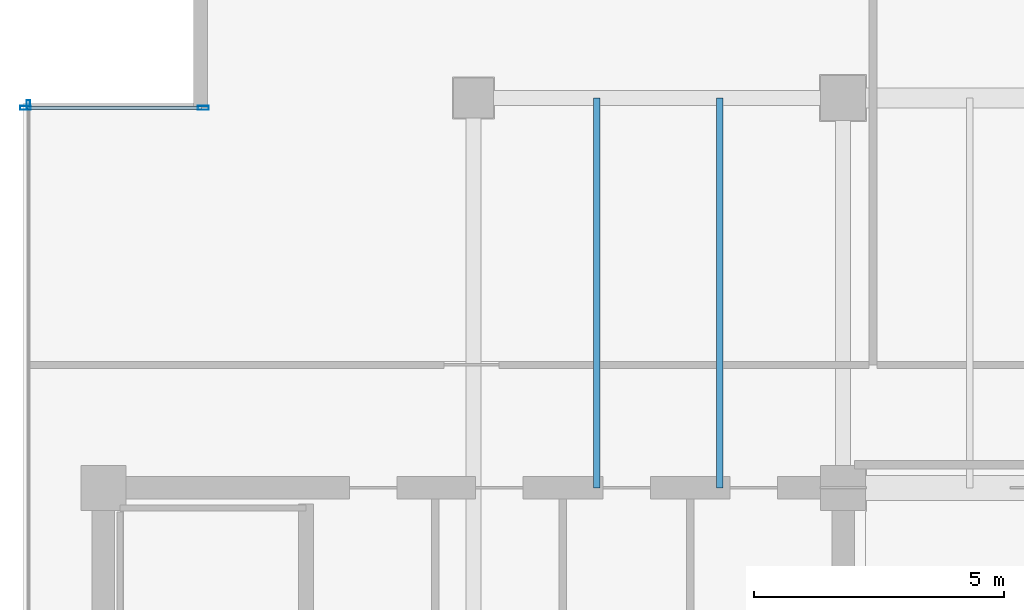
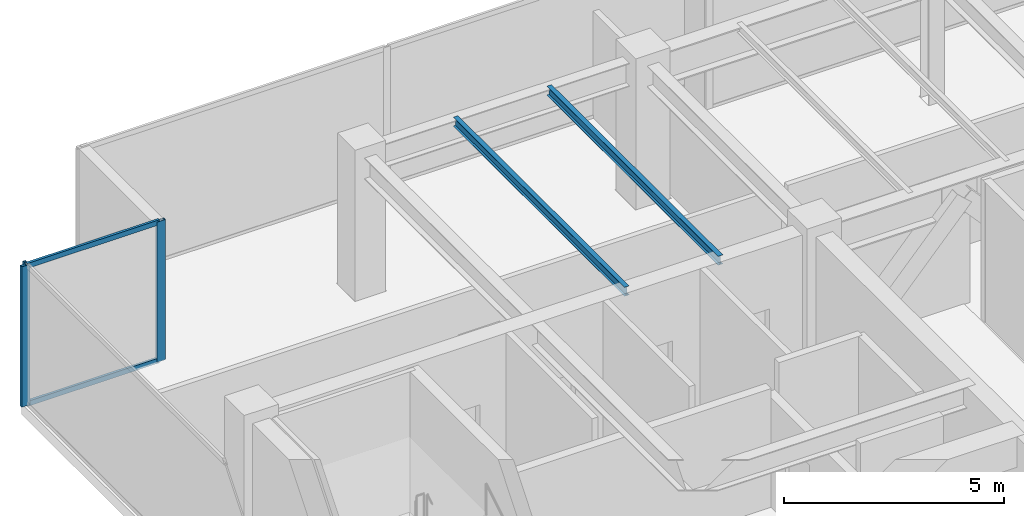
# One storey, part 18 of 32: 5 members, 2 beams, 2 elements without a shape of their own.
"""IFC4 building model written with IfcOpenShell, lengths in metres."""

from ifc_helpers import new_model, si_unit, direction, frame, origin, origin_2d, place, context, subcontext, project, spatial, hollow_rectangle, i_section, extrude, source, transform, mapped, material, layer, layer_set, material_profile, profile_set, type_object, type_shapes, element, aggregate, save


model = new_model("IFC4")

# Units and contexts
model_context = context("Model", 3, precision=1e-05, world=origin(), true_north=direction((0.0, 1.0)))
body_context = subcontext(model_context, "Body", "Model", "MODEL_VIEW")
ifc_project = project(units=[si_unit("LENGTHUNIT", "METRE"), si_unit("AREAUNIT", "SQUARE_METRE"), si_unit("VOLUMEUNIT", "CUBIC_METRE"), si_unit("PLANEANGLEUNIT", "RADIAN"), si_unit("MASSUNIT", "GRAM", prefix="KILO")], contexts=[model_context])

# Site, building, storey
site_placement = place(None, origin())
site = spatial("IfcSite", under=ifc_project, at=site_placement, CompositionType="ELEMENT")
building_placement = place(site_placement, origin())
building = spatial("IfcBuilding", under=site, at=building_placement, Name="Haelvirn Gate Laboratories", CompositionType="ELEMENT")
storey_placement = place(building_placement, frame((0.0, 0.0, 314.39990234375)))
storey = spatial("IfcBuildingStorey", under=building, at=storey_placement, Name="L75", CompositionType="ELEMENT", Elevation=314.39990234375)

# Beams
ifc_material_1 = material(Name="Steel SM355", Category="steel")
ifc_material_profile_1 = material_profile(ifc_material_1, i_section(OverallWidth=0.125, OverallDepth=0.25, WebThickness=0.006103515625, FlangeThickness=0.009033203125, at=origin_2d()), Name="H-250x125x6x9")
ifc_profile_set_1 = profile_set([ifc_material_profile_1], Name="Steel SM355")
beam_type = type_object("IfcBeamType", Name="BM-J-250", PredefinedType="JOIST", material=ifc_profile_set_1)
shared_shape_1 = source(origin(), body_context, "Body", "SweptSolid", [
    extrude(i_section(OverallWidth=0.125, OverallDepth=0.25, WebThickness=0.006103515625, FlangeThickness=0.009033203125, at=origin_2d()), origin(), (0.0, 0.0, 1.0), 7.800048828125),
])
type_shapes(beam_type, [shared_shape_1])
for number, where, z_axis, x_axis, name in (
    (1, (17.27001953125, 33.800048828125, 3.775146484375), (0.0, 1.0, 0.0), (-1.0, 0.0, 0.0), "L75 Composite Lab Joist North X17.27"),
    (2, (19.72998046875, 33.800048828125, 3.775146484375), (0.0, 1.0, 0.0), (-1.0, 0.0, 0.0), "L75 Composite Lab Joist North X19.73"),
):
    element("IfcBeam", number, at=place(storey_placement, frame(where, z_axis=z_axis, x_axis=x_axis)), inside=storey, type_object=beam_type, Name=name, PredefinedType="JOIST", context=body_context, shape_type="MappedRepresentation", body=[
        mapped(shared_shape_1, transform((0.0, 0.0, 0.0), scale=1.0)),
    ])

# Curtain wall, members
ifc_material_2 = material(Name="Anodised bronze unitised aluminium & triple low-E glass", Category="aluminium")
ifc_layer_1 = layer(ifc_material_2, 0.181884765625, Name="CW-SYS-5")
ifc_layer_set_1 = layer_set([ifc_layer_1], Name="Anodised bronze unitised aluminium & triple low-E glass")
curtain_wall_type_1 = type_object("IfcCurtainWallType", Name="CW-SYS-5", PredefinedType="NOTDEFINED", material=ifc_layer_set_1)
curtain_wall_1_placement = place(storey_placement, origin())
curtain_wall_1 = element("IfcCurtainWall", 3, at=curtain_wall_1_placement, inside=storey, type_object=curtain_wall_type_1, Name="L75 Unitised Curtain Wall CW-L75-P0-E16-1", PredefinedType="NOTDEFINED")
ifc_material_3 = material(Name="Extruded aluminium 6063-T6 (anodised bronze)", Category="aluminium")
ifc_material_profile_2 = material_profile(ifc_material_3, hollow_rectangle(XDim=0.06494140625, YDim=0.139892578125, WallThickness=0.00390625, at=origin_2d()), Name="CWT-140x65x4")
ifc_profile_set_2 = profile_set([ifc_material_profile_2], Name="Extruded aluminium 6063-T6 (anodised bronze)")
member_type_1 = type_object("IfcMemberType", Name="CWT-T140", PredefinedType="USERDEFINED", material=ifc_profile_set_2)
shared_shape_2 = source(origin(), body_context, "Body", "SweptSolid", [
    extrude(hollow_rectangle(XDim=0.06494140625, YDim=0.139892578125, WallThickness=0.00390625, at=origin_2d()), origin(), (0.0, 0.0, 1.0), 3.480224609375),
])
type_shapes(member_type_1, [shared_shape_2])
member_1_placement = place(storey_placement, frame((5.8798828125, 41.39990234375, 0.03271484375), z_axis=(1.0, 0.0, 0.0), x_axis=(0.0, 1.0, 0.0)))
member_1 = element("IfcMember", 4, at=member_1_placement, type_object=member_type_1, Name="CW5 transom 1.1", ObjectType="TRANSOM", PredefinedType="USERDEFINED", context=body_context, shape_type="MappedRepresentation", body=[
    mapped(shared_shape_2, transform((0.0, 0.0, 0.0), scale=1.0)),
])
member_2_placement = place(storey_placement, frame((5.8798828125, 41.39990234375, 3.86767578125), z_axis=(1.0, 0.0, 0.0), x_axis=(0.0, 1.0, 0.0)))
member_2 = element("IfcMember", 5, at=member_2_placement, type_object=member_type_1, Name="CW5 transom 1.2", ObjectType="TRANSOM", PredefinedType="USERDEFINED", context=body_context, shape_type="MappedRepresentation", body=[
    mapped(shared_shape_2, transform((0.0, 0.0, 0.0), scale=1.0)),
])

# Curtain wall, member
ifc_layer_2 = layer(ifc_material_2, 0.176025390625, Name="CW-SYS-4")
ifc_layer_set_2 = layer_set([ifc_layer_2], Name="Anodised bronze unitised aluminium & triple low-E glass")
curtain_wall_type_2 = type_object("IfcCurtainWallType", Name="CW-SYS-4", PredefinedType="NOTDEFINED", material=ifc_layer_set_2)
curtain_wall_2_placement = place(storey_placement, origin())
curtain_wall_2 = element("IfcCurtainWall", 6, at=curtain_wall_2_placement, inside=storey, type_object=curtain_wall_type_2, Name="L75 Unitised Curtain Wall CW-L75-P0-E17", PredefinedType="NOTDEFINED")
ifc_material_profile_3 = material_profile(ifc_material_3, hollow_rectangle(XDim=0.070068359375, YDim=0.179931640625, WallThickness=0.0048828125, at=origin_2d()), Name="CWM-180x70x5")
ifc_profile_set_3 = profile_set([ifc_material_profile_3], Name="Extruded aluminium 6063-T6 (anodised bronze)")
member_type_2 = type_object("IfcMemberType", Name="CWM-T180", PredefinedType="MULLION", material=ifc_profile_set_3)
shared_shape_3 = source(origin(), body_context, "Body", "SweptSolid", [
    extrude(hollow_rectangle(XDim=0.070068359375, YDim=0.179931640625, WallThickness=0.0048828125, at=origin_2d()), origin(), (0.0, 0.0, 1.0), 3.900146484375),
])
type_shapes(member_type_2, [shared_shape_3])
member_3_placement = place(storey_placement, frame((5.89990234375, 41.465087890625, 0.0), z_axis=(0.0, 0.0, 1.0), x_axis=(1.0, 0.0, 0.0)))
member_3 = element("IfcMember", 7, at=member_3_placement, type_object=member_type_2, Name="CW4 mullion 1", PredefinedType="MULLION", context=body_context, shape_type="MappedRepresentation", body=[
    mapped(shared_shape_3, transform((0.0, 0.0, 0.0), scale=1.0)),
])
aggregate(curtain_wall_2, [member_3])

# Member
ifc_material_profile_4 = material_profile(ifc_material_3, hollow_rectangle(XDim=0.080078125, YDim=0.219970703125, WallThickness=0.006103515625, at=origin_2d()), Name="CWM-220x80x6")
ifc_profile_set_4 = profile_set([ifc_material_profile_4], Name="Extruded aluminium 6063-T6 (anodised bronze)")
member_type_3 = type_object("IfcMemberType", Name="CWM-T220", PredefinedType="MULLION", material=ifc_profile_set_4)
shared_shape_4 = source(origin(), body_context, "Body", "SweptSolid", [
    extrude(hollow_rectangle(XDim=0.080078125, YDim=0.219970703125, WallThickness=0.006103515625, at=origin_2d()), origin(), (0.0, 0.0, 1.0), 3.900146484375),
])
type_shapes(member_type_3, [shared_shape_4])
member_4_placement = place(storey_placement, frame((5.840087890625, 41.39990234375, 0.0), z_axis=(0.0, 0.0, 1.0), x_axis=(0.0, 1.0, 0.0)))
member_4 = element("IfcMember", 8, at=member_4_placement, type_object=member_type_3, Name="CW5 mullion 1", PredefinedType="MULLION", context=body_context, shape_type="MappedRepresentation", body=[
    mapped(shared_shape_4, transform((0.0, 0.0, 0.0), scale=1.0)),
])

member_5_placement = place(storey_placement, frame((9.39990234375, 41.39990234375, 0.0), z_axis=(0.0, 0.0, 1.0), x_axis=(0.0, 1.0, 0.0)))
member_5 = element("IfcMember", 9, at=member_5_placement, type_object=member_type_3, Name="CW5 mullion 2", PredefinedType="MULLION", context=body_context, shape_type="MappedRepresentation", body=[
    mapped(shared_shape_4, transform((0.0, 0.0, 0.0), scale=1.0)),
])

aggregate(curtain_wall_1, [member_4, member_5, member_1, member_2])

save(model, "model.ifc")
